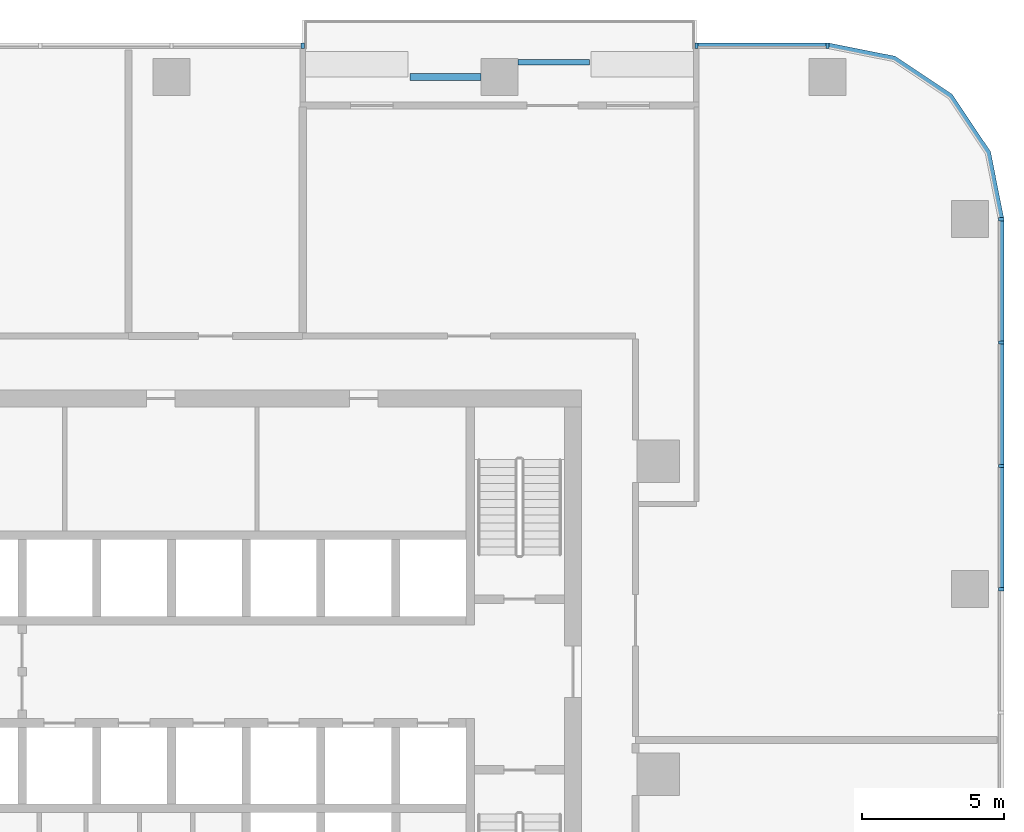
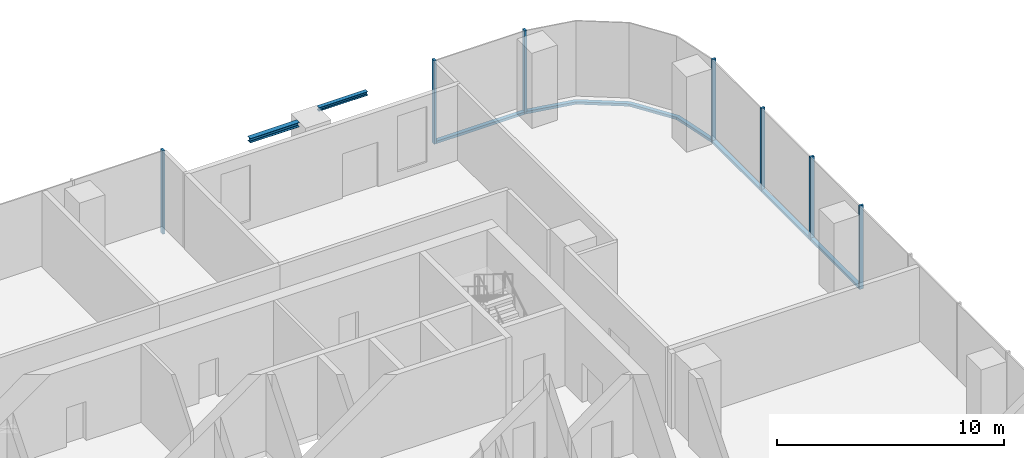
# One storey, part 5 of 15: 12 members, 2 beams, 4 elements without a shape of their own.
"""IFC4 building model written with IfcOpenShell, lengths in metres."""

from ifc_helpers import new_model, si_unit, direction, frame, origin, origin_2d, place, context, subcontext, project, spatial, polyline, rectangle, i_section, outline, extrude, material, material_profile, profile_set, type_object, element, aggregate, save


model = new_model("IFC4")

# Units and contexts
model_context = context("Model", 3, precision=1e-05, world=origin(), true_north=direction((0.0, 1.0)))
body_context = subcontext(model_context, "Body", "Model", "MODEL_VIEW")
ifc_project = project(units=[si_unit("LENGTHUNIT", "METRE"), si_unit("AREAUNIT", "SQUARE_METRE"), si_unit("VOLUMEUNIT", "CUBIC_METRE"), si_unit("PLANEANGLEUNIT", "RADIAN"), si_unit("MASSUNIT", "GRAM", prefix="KILO")], contexts=[model_context])

# Site, building, storey
site_placement = place(None, origin())
site = spatial("IfcSite", under=ifc_project, at=site_placement, CompositionType="ELEMENT")
building_placement = place(site_placement, origin())
building = spatial("IfcBuilding", under=site, at=building_placement, Name="Mopane Tessera Tower", CompositionType="ELEMENT")
storey_placement = place(building_placement, frame((0.0, 0.0, 112.60009765625)))
storey = spatial("IfcBuildingStorey", under=building, at=storey_placement, Name="L22", CompositionType="ELEMENT", Elevation=112.60009765625)

# Curtain wall, members
ifc_material_1 = material(Name="Aluminium frame", Category="aluminium")
curtain_wall_type = type_object("IfcCurtainWallType", Name="Lower tower unitised wall", PredefinedType="NOTDEFINED", material=ifc_material_1)
curtain_wall_1_placement = place(storey_placement, origin())
curtain_wall_1 = element("IfcCurtainWall", 1, at=curtain_wall_1_placement, inside=storey, type_object=curtain_wall_type, Name="e:cw:L22:E:0", PredefinedType="NOTDEFINED")
ifc_material_2 = material(Name="Aluminium frame", Category="aluminium")
ifc_material_profile_1 = material_profile(ifc_material_2, rectangle(XDim=0.110107421875, YDim=0.199951171875, at=origin_2d()))
ifc_profile_set_1 = profile_set([ifc_material_profile_1], Name="Aluminium frame")
member_type_1 = type_object("IfcMemberType", Name="Aluminium mullion 110 x 200", PredefinedType="MULLION", material=ifc_profile_set_1)
member_1_placement = place(storey_placement, frame((29.14990234375, 6.5, -0.4501953125), z_axis=(0.0, 0.0, 1.0), x_axis=(0.0, 1.0, 0.0)))
member_1 = element("IfcMember", 2, at=member_1_placement, type_object=member_type_1, Name="e:cw:L22:E:0:mu6", PredefinedType="MULLION", context=body_context, shape_type="SweptSolid", body=[
    extrude(rectangle(XDim=0.110107421875, YDim=0.199951171875, at=origin_2d()), origin(), (0.0, 0.0, 1.0), 4.5),
])
member_2_placement = place(storey_placement, frame((29.14990234375, 10.833251953125, -0.4501953125), z_axis=(0.0, 0.0, 1.0), x_axis=(0.0, 1.0, 0.0)))
member_2 = element("IfcMember", 3, at=member_2_placement, type_object=member_type_1, Name="e:cw:L22:E:0:mu7", PredefinedType="MULLION", context=body_context, shape_type="SweptSolid", body=[
    extrude(rectangle(XDim=0.110107421875, YDim=0.199951171875, at=origin_2d()), origin(), (0.0, 0.0, 1.0), 4.5),
])
member_3_placement = place(storey_placement, frame((29.14990234375, 15.166748046875, -0.4501953125), z_axis=(0.0, 0.0, 1.0), x_axis=(0.0, 1.0, 0.0)))
member_3 = element("IfcMember", 4, at=member_3_placement, type_object=member_type_1, Name="e:cw:L22:E:0:mu8", PredefinedType="MULLION", context=body_context, shape_type="SweptSolid", body=[
    extrude(rectangle(XDim=0.110107421875, YDim=0.199951171875, at=origin_2d()), origin(), (0.0, 0.0, 1.0), 4.5),
])
member_4_placement = place(storey_placement, frame((29.14990234375, 19.5, -0.4501953125), z_axis=(0.0, 0.0, 1.0), x_axis=(0.0, 1.0, 0.0)))
member_4 = element("IfcMember", 5, at=member_4_placement, type_object=member_type_1, Name="e:cw:L22:E:0:mu9", PredefinedType="MULLION", context=body_context, shape_type="SweptSolid", body=[
    extrude(rectangle(XDim=0.110107421875, YDim=0.199951171875, at=origin_2d()), origin(), (0.0, 0.0, 1.0), 4.5),
])

curtain_wall_2_placement = place(storey_placement, origin())
curtain_wall_2 = element("IfcCurtainWall", 6, at=curtain_wall_2_placement, inside=storey, type_object=curtain_wall_type, Name="e:cw:L22:N:0", PredefinedType="NOTDEFINED")
member_5_placement = place(storey_placement, frame((23.050048828125, 25.60009765625, -0.4501953125), z_axis=(0.0, 0.0, 1.0), x_axis=(-1.0, 0.0, 0.0)))
member_5 = element("IfcMember", 7, at=member_5_placement, type_object=member_type_1, Name="e:cw:L22:N:0:mu0", PredefinedType="MULLION", context=body_context, shape_type="SweptSolid", body=[
    extrude(rectangle(XDim=0.110107421875, YDim=0.199951171875, at=origin_2d()), origin(), (0.0, 0.0, 1.0), 4.5),
])
member_6_placement = place(storey_placement, frame((18.43994140625, 25.60009765625, -0.4501953125), z_axis=(0.0, 0.0, 1.0), x_axis=(-1.0, 0.0, 0.0)))
member_6 = element("IfcMember", 8, at=member_6_placement, type_object=member_type_1, Name="e:cw:L22:N:0:mu1", PredefinedType="MULLION", context=body_context, shape_type="SweptSolid", body=[
    extrude(rectangle(XDim=0.110107421875, YDim=0.199951171875, at=origin_2d()), origin(), (0.0, 0.0, 1.0), 4.5),
])

# Curtain wall, member
curtain_wall_3_placement = place(storey_placement, origin())
curtain_wall_3 = element("IfcCurtainWall", 9, at=curtain_wall_3_placement, inside=storey, type_object=curtain_wall_type, Name="e:cw:L22:N:4", PredefinedType="NOTDEFINED")
member_7_placement = place(storey_placement, frame((4.610107421875, 25.60009765625, -0.4501953125), z_axis=(0.0, 0.0, 1.0), x_axis=(-1.0, 0.0, 0.0)))
member_7 = element("IfcMember", 10, at=member_7_placement, type_object=member_type_1, Name="e:cw:L22:N:4:mu4", PredefinedType="MULLION", context=body_context, shape_type="SweptSolid", body=[
    extrude(rectangle(XDim=0.110107421875, YDim=0.199951171875, at=origin_2d()), origin(), (0.0, 0.0, 1.0), 4.5),
])
aggregate(curtain_wall_3, [member_7])

# Member
ifc_material_3 = material(Name="Aluminium frame", Category="aluminium")
ifc_material_profile_2 = material_profile(ifc_material_3, rectangle(XDim=0.199951171875, YDim=0.139892578125, at=origin_2d()))
ifc_profile_set_2 = profile_set([ifc_material_profile_2], Name="Aluminium frame")
member_type_2 = type_object("IfcMemberType", Name="Aluminium transom 200 x 140", PredefinedType="USERDEFINED", material=ifc_profile_set_2)
member_8_placement = place(storey_placement, frame((29.14990234375, 6.554931640625, -0.380126953125), z_axis=(0.0, 1.0, 0.0), x_axis=(-1.0, 0.0, 0.0)))
member_8 = element("IfcMember", 11, at=member_8_placement, type_object=member_type_2, Name="e:cw:L22:E:0:tr6", ObjectType="TRANSOM", PredefinedType="USERDEFINED", context=body_context, shape_type="SweptSolid", body=[
    extrude(rectangle(XDim=0.199951171875, YDim=0.139892578125, at=origin_2d()), origin(), (0.0, 0.0, 1.0), 4.223388671875),
])

member_9_placement = place(storey_placement, frame((29.14990234375, 10.888427734375, -0.380126953125), z_axis=(0.0, 1.0, 0.0), x_axis=(-1.0, 0.0, 0.0)))
member_9 = element("IfcMember", 12, at=member_9_placement, type_object=member_type_2, Name="e:cw:L22:E:0:tr7", ObjectType="TRANSOM", PredefinedType="USERDEFINED", context=body_context, shape_type="SweptSolid", body=[
    extrude(rectangle(XDim=0.199951171875, YDim=0.139892578125, at=origin_2d()), origin(), (0.0, 0.0, 1.0), 4.22314453125),
])

member_10_placement = place(storey_placement, frame((29.14990234375, 15.2216796875, -0.380126953125), z_axis=(0.0, 1.0, 0.0), x_axis=(-1.0, 0.0, 0.0)))
member_10 = element("IfcMember", 13, at=member_10_placement, type_object=member_type_2, Name="e:cw:L22:E:0:tr8", ObjectType="TRANSOM", PredefinedType="USERDEFINED", context=body_context, shape_type="SweptSolid", body=[
    extrude(rectangle(XDim=0.199951171875, YDim=0.139892578125, at=origin_2d()), origin(), (0.0, 0.0, 1.0), 4.223388671875),
])

aggregate(curtain_wall_1, [member_1, member_2, member_3, member_4, member_8, member_9, member_10])

# Curtain wall, member
curtain_wall_4_placement = place(storey_placement, origin())
curtain_wall_4 = element("IfcCurtainWall", 14, at=curtain_wall_4_placement, inside=storey, type_object=curtain_wall_type, Name="e:cw:L22:CE", PredefinedType="NOTDEFINED")
member_11_placement = place(storey_placement, frame((0.0, 0.0, -0.4501953125)))
member_11 = element("IfcMember", 15, at=member_11_placement, type_object=member_type_2, Name="e:cw:L22:CE:tr", ObjectType="TRANSOM", PredefinedType="USERDEFINED", context=body_context, shape_type="SweptSolid", body=[
    extrude(outline(polyline([(29.050048828125, 19.5), (28.59326171875, 21.796142578125), (27.292724609375, 23.74267578125), (25.34619140625, 25.043212890625), (23.050048828125, 25.5), (23.050048828125, 25.699951171875), (25.422607421875, 25.22802734375), (27.43408203125, 23.884033203125), (28.778076171875, 21.87255859375), (29.25, 19.5), (29.050048828125, 19.5)])), origin(), (0.0, 0.0, 1.0), 0.14013671875),
])
aggregate(curtain_wall_4, [member_11])

# Member
member_12_placement = place(storey_placement, frame((22.9951171875, 25.60009765625, -0.380126953125), z_axis=(-1.0, 0.0, 0.0), x_axis=(0.0, -1.0, 0.0)))
member_12 = element("IfcMember", 16, at=member_12_placement, type_object=member_type_2, Name="e:cw:L22:N:0:tr0", ObjectType="TRANSOM", PredefinedType="USERDEFINED", context=body_context, shape_type="SweptSolid", body=[
    extrude(rectangle(XDim=0.199951171875, YDim=0.139892578125, at=origin_2d()), origin(), (0.0, 0.0, 1.0), 4.5),
])

aggregate(curtain_wall_2, [member_5, member_6, member_12])

# Beams
ifc_material_4 = material(Name="Structural steel S460", Category="steel")
ifc_material_profile_3 = material_profile(ifc_material_4, i_section(OverallWidth=0.239990234375, OverallDepth=0.239990234375, WebThickness=0.010009765625, FlangeThickness=0.01708984375, FilletRadius=0.02099609375, at=origin_2d()))
ifc_profile_set_3 = profile_set([ifc_material_profile_3], Name="Structural steel S460")
beam_type_1 = type_object("IfcBeamType", Name="Terrace spandrel beam HE 240 B", PredefinedType="SPANDREL", material=ifc_profile_set_3)
beam_1_placement = place(storey_placement, frame((10.871826171875, 24.5, 3.929931640625), z_axis=(-1.0, 0.0, 0.0), x_axis=(0.0, -1.0, 0.0)))
element("IfcBeam", 17, at=beam_1_placement, inside=storey, type_object=beam_type_1, Name="Terrace spandrel beam N1 L23", PredefinedType="SPANDREL", context=body_context, shape_type="SweptSolid", body=[
    extrude(i_section(OverallWidth=0.239990234375, OverallDepth=0.239990234375, WebThickness=0.010009765625, FlangeThickness=0.01708984375, FilletRadius=0.02099609375, at=origin_2d()), origin(), (0.0, 0.0, 1.0), 2.5),
])
ifc_material_5 = material(Name="Structural steel S460", Category="steel")
ifc_material_profile_4 = material_profile(ifc_material_5, i_section(OverallWidth=0.199951171875, OverallDepth=0.199951171875, WebThickness=0.009033203125, FlangeThickness=0.014892578125, FilletRadius=0.01806640625, at=origin_2d()))
ifc_profile_set_4 = profile_set([ifc_material_profile_4], Name="Structural steel S460")
beam_type_2 = type_object("IfcBeamType", Name="Terrace trimmer beam HE 200 B", PredefinedType="BEAM", material=ifc_profile_set_4)
beam_2_placement = place(storey_placement, frame((12.177978515625, 25.02001953125, 3.949951171875), z_axis=(1.0, 0.0, 0.0), x_axis=(0.0, 1.0, 0.0)))
element("IfcBeam", 18, at=beam_2_placement, inside=storey, type_object=beam_type_2, Name="Terrace trimmer beam N1 L23", PredefinedType="BEAM", context=body_context, shape_type="SweptSolid", body=[
    extrude(i_section(OverallWidth=0.199951171875, OverallDepth=0.199951171875, WebThickness=0.009033203125, FlangeThickness=0.014892578125, FilletRadius=0.01806640625, at=origin_2d()), origin(), (0.0, 0.0, 1.0), 2.5),
])

save(model, "model.ifc")
